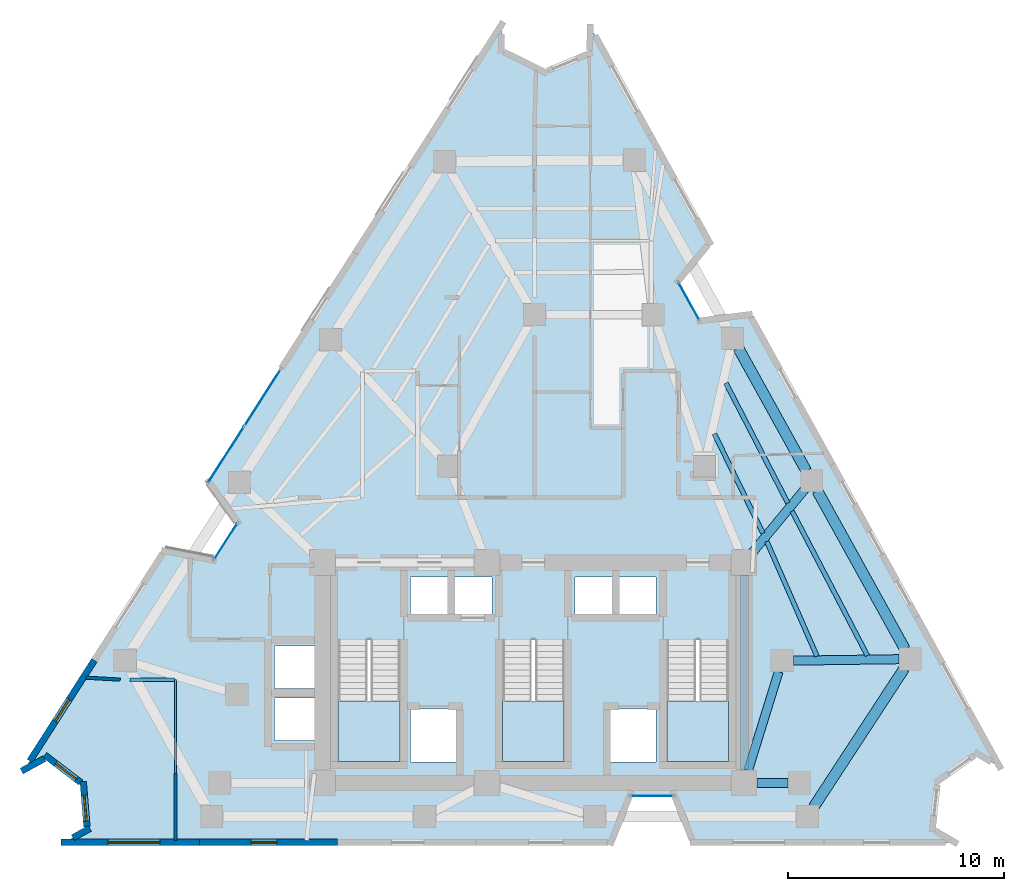
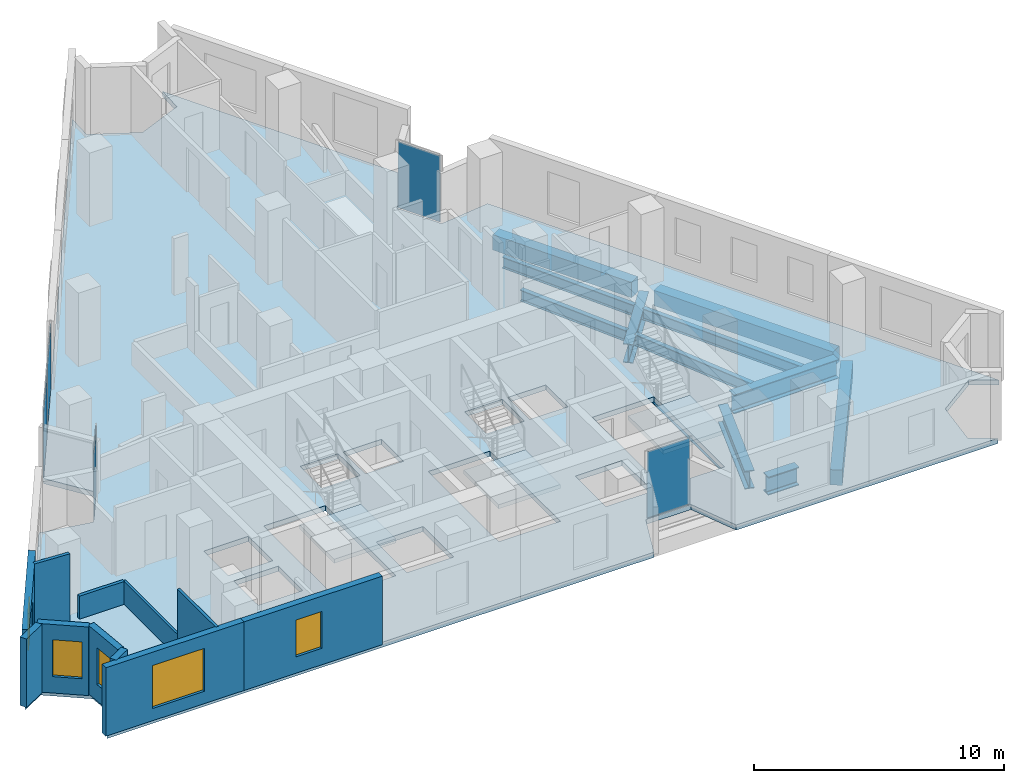
# One storey, part 4 of 10: 12 beams, 11 walls, 5 plates, 5 windows, 4 slabs, 5 openings, 7 elements without a shape of their own.
"""IFC4 building model written with IfcOpenShell, lengths in metres."""

from ifc_helpers import new_model, si_unit, direction, frame, frame_2d, origin, origin_2d, place, context, subcontext, project, spatial, polyline, rectangle, i_section, outline, extrude, material, layer, layer_set, material_profile, profile_set, type_object, element, fill, aggregate, save


model = new_model("IFC4")

# Units and contexts
model_context = context("Model", 3, precision=1e-05, world=origin(), true_north=direction((0.0, 1.0)))
body_context = subcontext(model_context, "Body", "Model", "MODEL_VIEW")
ifc_project = project(units=[si_unit("LENGTHUNIT", "METRE"), si_unit("AREAUNIT", "SQUARE_METRE"), si_unit("VOLUMEUNIT", "CUBIC_METRE"), si_unit("PLANEANGLEUNIT", "RADIAN"), si_unit("MASSUNIT", "GRAM", prefix="KILO")], contexts=[model_context])

# Site, building, storey
site_placement = place(None, origin())
site = spatial("IfcSite", under=ifc_project, at=site_placement, CompositionType="ELEMENT")
building_placement = place(site_placement, origin())
building = spatial("IfcBuilding", under=site, at=building_placement, Name="Almagre Mirador Tower", CompositionType="ELEMENT")
storey_placement = place(building_placement, frame((0.0, 0.0, 171.60009765625)))
storey = spatial("IfcBuildingStorey", under=building, at=storey_placement, Name="L44", CompositionType="ELEMENT", Elevation=171.60009765625)

# Beams
ifc_material_1 = material(Name="Steel ASTM A992 Grade 50", Category="steel")
ifc_material_profile_1 = material_profile(ifc_material_1, i_section(OverallWidth=0.214111328125, OverallDepth=0.549072265625, WebThickness=0.0146484375, FlangeThickness=0.023681640625, FilletRadius=0.01806640625, at=origin_2d()), Name="W21X93")
ifc_profile_set_1 = profile_set([ifc_material_profile_1], Name="Steel ASTM A992 Grade 50")
beam_type_1 = type_object("IfcBeamType", Name="BM-JST-W21X93", PredefinedType="JOIST", material=ifc_profile_set_1)
beam_1_placement = place(storey_placement, frame((52.744873046875, 10.44189453125, -0.524658203125), z_axis=(-0.462461864281, 0.886639173557, 0.0), x_axis=(-0.886639173557, -0.462461864281, 0.0)))
element("IfcBeam", 1, at=beam_1_placement, inside=storey, type_object=beam_type_1, Name="L44 secondary floor joist PC05-PC06.1", PredefinedType="JOIST", context=body_context, shape_type="SweptSolid", body=[
    extrude(i_section(OverallWidth=0.214111328125, OverallDepth=0.549072265625, WebThickness=0.0146484375, FlangeThickness=0.023681640625, FilletRadius=0.01806640625, at=origin_2d()), origin(), (0.0, 0.0, 1.0), 7.53125),
])
beam_2_placement = place(storey_placement, frame((50.413330078125, 10.415283203125, -0.524658203125), z_axis=(-0.400714832281, 0.91620282863, 0.0), x_axis=(-0.91620282863, -0.400714832281, 0.0)))
element("IfcBeam", 2, at=beam_2_placement, inside=storey, type_object=beam_type_1, Name="L44 secondary floor joist PC05-PC06.3", PredefinedType="JOIST", context=body_context, shape_type="SweptSolid", body=[
    extrude(i_section(OverallWidth=0.214111328125, OverallDepth=0.549072265625, WebThickness=0.0146484375, FlangeThickness=0.023681640625, FilletRadius=0.01806640625, at=origin_2d()), origin(), (0.0, 0.0, 1.0), 5.7880859375),
])
beam_3_placement = place(storey_placement, frame((49.069580078125, 17.490478515625, -0.524658203125), z_axis=(-0.458793060053, 0.888543149232, 0.0), x_axis=(-0.888543149232, -0.458793060053, 0.0)))
element("IfcBeam", 3, at=beam_3_placement, inside=storey, type_object=beam_type_1, Name="L44 secondary floor joist PC06-PC07.1", PredefinedType="JOIST", context=body_context, shape_type="SweptSolid", body=[
    extrude(i_section(OverallWidth=0.214111328125, OverallDepth=0.549072265625, WebThickness=0.0146484375, FlangeThickness=0.023681640625, FilletRadius=0.01806640625, at=origin_2d()), origin(), (0.0, 0.0, 1.0), 6.254150390625),
])
beam_4_placement = place(storey_placement, frame((47.91845703125, 16.097412109375, -0.524658203125), z_axis=(-0.439128899416, 0.898424070079, 0.0), x_axis=(-0.898424070079, -0.439128899416, 0.0)))
element("IfcBeam", 4, at=beam_4_placement, inside=storey, type_object=beam_type_1, Name="L44 secondary floor joist PC06-PC07.3", PredefinedType="JOIST", context=body_context, shape_type="SweptSolid", body=[
    extrude(i_section(OverallWidth=0.214111328125, OverallDepth=0.549072265625, WebThickness=0.0146484375, FlangeThickness=0.023681640625, FilletRadius=0.01806640625, at=origin_2d()), origin(), (0.0, 0.0, 1.0), 5.12109375),
])
ifc_material_2 = material(Name="Precast concrete C50/60", Category="concrete")
ifc_material_profile_2 = material_profile(ifc_material_2, rectangle(XDim=0.5, YDim=0.75, at=origin_2d()), Name="RC500X750")
ifc_profile_set_2 = profile_set([ifc_material_profile_2], Name="Precast concrete C50/60")
beam_type_2 = type_object("IfcBeamType", Name="BM-SPN-RC500X750", PredefinedType="SPANDREL", material=ifc_profile_set_2)
beam_5_placement = place(storey_placement, frame((50.26318359375, 3.439453125, -0.625), z_axis=(0.546935461459, 0.83717477327, 0.0), x_axis=(-0.83717477327, 0.546935461459, 0.0)))
element("IfcBeam", 5, at=beam_5_placement, inside=storey, type_object=beam_type_2, Name="L44 perimeter spandrel beam PC04-PC05", PredefinedType="SPANDREL", context=body_context, shape_type="SweptSolid", body=[
    extrude(rectangle(XDim=0.5, YDim=0.75, at=origin_2d()), origin(), (0.0, 0.0, 1.0), 7.649658203125),
])
beam_6_placement = place(storey_placement, frame((54.479736328125, 10.742431640625, -0.625), z_axis=(-0.484193045523, 0.874961196092, 0.0), x_axis=(-0.874961196092, -0.484193045523, 0.0)))
element("IfcBeam", 6, at=beam_6_placement, inside=storey, type_object=beam_type_2, Name="L44 perimeter spandrel beam PC05-PC06", PredefinedType="SPANDREL", context=body_context, shape_type="SweptSolid", body=[
    extrude(rectangle(XDim=0.5, YDim=0.75, at=origin_2d()), origin(), (0.0, 0.0, 1.0), 8.36767578125),
])
beam_7_placement = place(storey_placement, frame((49.919921875, 18.982421875, -0.625), z_axis=(-0.484219637984, 0.874946479615, 0.0), x_axis=(-0.874946479615, -0.484219637984, 0.0)))
element("IfcBeam", 7, at=beam_7_placement, inside=storey, type_object=beam_type_2, Name="L44 perimeter spandrel beam PC06-PC07", PredefinedType="SPANDREL", context=body_context, shape_type="SweptSolid", body=[
    extrude(rectangle(XDim=0.5, YDim=0.75, at=origin_2d()), origin(), (0.0, 0.0, 1.0), 6.48388671875),
])
ifc_material_3 = material(Name="Steel ASTM A992 Grade 50", Category="steel")
ifc_material_profile_3 = material_profile(ifc_material_3, i_section(OverallWidth=0.404052734375, OverallDepth=0.884033203125, WebThickness=0.0244140625, FlangeThickness=0.0439453125, FilletRadius=0.02490234375, at=origin_2d()), Name="W33X291")
ifc_profile_set_3 = profile_set([ifc_material_profile_3], Name="Steel ASTM A992 Grade 50")
beam_type_3 = type_object("IfcBeamType", Name="BM-STL-W33X291", PredefinedType="BEAM", material=ifc_profile_set_3)
beam_8_placement = place(storey_placement, frame((47.050048828125, 5.14990234375, -0.692138671875), z_axis=(0.0, 1.0, 0.0), x_axis=(-1.0, 0.0, 0.0)))
element("IfcBeam", 8, at=beam_8_placement, inside=storey, type_object=beam_type_3, Name="L44 core tie girder CC3-CC6", PredefinedType="BEAM", context=body_context, shape_type="SweptSolid", body=[
    extrude(i_section(OverallWidth=0.404052734375, OverallDepth=0.884033203125, WebThickness=0.0244140625, FlangeThickness=0.0439453125, FilletRadius=0.02490234375, at=origin_2d()), origin(), (0.0, 0.0, 1.0), 9.0),
])
beam_9_placement = place(storey_placement, frame((49.074951171875, 4.550048828125, -0.692138671875), z_axis=(-1.0, 0.0, 0.0), x_axis=(0.0, -1.0, 0.0)))
element("IfcBeam", 9, at=beam_9_placement, inside=storey, type_object=beam_type_3, Name="L44 core tie girder MC2-CC3", PredefinedType="BEAM", context=body_context, shape_type="SweptSolid", body=[
    extrude(i_section(OverallWidth=0.404052734375, OverallDepth=0.884033203125, WebThickness=0.0244140625, FlangeThickness=0.0439453125, FilletRadius=0.02490234375, at=origin_2d()), origin(), (0.0, 0.0, 1.0), 1.425048828125),
])
beam_10_placement = place(storey_placement, frame((48.644775390625, 9.698486328125, -0.692138671875), z_axis=(-0.295879743348, -0.955225197258, 0.0), x_axis=(0.955225197258, -0.295879743348, 0.0)))
element("IfcBeam", 10, at=beam_10_placement, inside=storey, type_object=beam_type_3, Name="L44 core tie girder MC3-CC3", PredefinedType="BEAM", context=body_context, shape_type="SweptSolid", body=[
    extrude(i_section(OverallWidth=0.404052734375, OverallDepth=0.884033203125, WebThickness=0.0244140625, FlangeThickness=0.0439453125, FilletRadius=0.02490234375, at=origin_2d()), origin(), (0.0, 0.0, 1.0), 4.789794921875),
])
ifc_material_4 = material(Name="Steel ASTM A992 Grade 50", Category="steel")
ifc_material_profile_4 = material_profile(ifc_material_4, i_section(OverallWidth=0.41796875, OverallDepth=0.927001953125, WebThickness=0.019287109375, FlangeThickness=0.031982421875, FilletRadius=0.028076171875, at=origin_2d()), Name="W36X231")
ifc_profile_set_4 = profile_set([ifc_material_profile_4], Name="Steel ASTM A992 Grade 50")
beam_type_4 = type_object("IfcBeamType", Name="BM-STL-W36X231", PredefinedType="BEAM", material=ifc_profile_set_4)
beam_11_placement = place(storey_placement, frame((54.208984375, 10.275634765625, -0.713623046875), z_axis=(-0.999902063371, -0.013995130105, 0.0), x_axis=(0.013995130105, -0.999902063371, 0.0)))
element("IfcBeam", 11, at=beam_11_placement, inside=storey, type_object=beam_type_4, Name="L44 radial floor girder PC05-MC3", PredefinedType="BEAM", context=body_context, shape_type="SweptSolid", body=[
    extrude(i_section(OverallWidth=0.41796875, OverallDepth=0.927001953125, WebThickness=0.019287109375, FlangeThickness=0.031982421875, FilletRadius=0.028076171875, at=origin_2d()), origin(), (0.0, 0.0, 1.0), 4.884521484375),
])
beam_12_placement = place(storey_placement, frame((49.839111328125, 18.11865234375, -0.713623046875), z_axis=(-0.637743806267, -0.770248555707, 0.0), x_axis=(0.770248555707, -0.637743806267, 0.0)))
element("IfcBeam", 12, at=beam_12_placement, inside=storey, type_object=beam_type_4, Name="L44 radial floor girder PC06-CC6", PredefinedType="BEAM", context=body_context, shape_type="SweptSolid", body=[
    extrude(i_section(OverallWidth=0.41796875, OverallDepth=0.927001953125, WebThickness=0.019287109375, FlangeThickness=0.031982421875, FilletRadius=0.028076171875, at=origin_2d()), origin(), (0.0, 0.0, 1.0), 3.7734375),
])

# Curtain wall, plate
ifc_material_5 = material(Name="Black anodized aluminium", Category="aluminium")
ifc_layer_1 = layer(ifc_material_5, 0.169921875)
ifc_layer_set_1 = layer_set([ifc_layer_1], Name="Black anodized aluminium")
curtain_wall_type_1 = type_object("IfcCurtainWallType", Name="CW-CRS-SYS", PredefinedType="NOTDEFINED", material=ifc_layer_set_1)
curtain_wall_1_placement = place(storey_placement, origin())
curtain_wall_1 = element("IfcCurtainWall", 13, at=curtain_wall_1_placement, inside=storey, type_object=curtain_wall_type_1, Name="L44 vertical crease curtain wall 01", PredefinedType="NOTDEFINED")
ifc_material_6 = material(Name="Dark solar-control laminated hurricane glass", Category="glass")
ifc_layer_2 = layer(ifc_material_6, 0.028076171875)
ifc_layer_set_2 = layer_set([ifc_layer_2], Name="Dark solar-control laminated hurricane glass")
plate_type_1 = type_object("IfcPlateType", Name="PLT-GLZ-28", PredefinedType="CURTAIN_PANEL", material=ifc_layer_set_2)
plate_1_placement = place(storey_placement, frame((23.076904296875, 15.72607421875, 0.059814453125), z_axis=(0.0, 0.0, 1.0), x_axis=(0.539596564827, 0.841923718176, 0.0)))
plate_1 = element("IfcPlate", 14, at=plate_1_placement, type_object=plate_type_1, Name="CW-4 panel 1.1", PredefinedType="CURTAIN_PANEL", context=body_context, shape_type="SweptSolid", body=[
    extrude(rectangle(XDim=1.970458984375, YDim=0.028076171875, at=origin_2d()), origin(), (0.0, 0.0, 1.0), 3.22998046875),
])
aggregate(curtain_wall_1, [plate_1])

curtain_wall_2_placement = place(storey_placement, origin())
curtain_wall_2 = element("IfcCurtainWall", 15, at=curtain_wall_2_placement, inside=storey, type_object=curtain_wall_type_1, Name="L44 vertical crease curtain wall 03", PredefinedType="NOTDEFINED")
plate_2_placement = place(storey_placement, frame((44.490966796875, 26.8310546875, 0.059814453125), z_axis=(0.0, 0.0, 1.0), x_axis=(0.48434204979, -0.874878722341, 0.0)))
plate_2 = element("IfcPlate", 16, at=plate_2_placement, type_object=plate_type_1, Name="CW-4 panel 1.1", PredefinedType="CURTAIN_PANEL", context=body_context, shape_type="SweptSolid", body=[
    extrude(rectangle(XDim=1.969482421875, YDim=0.028076171875, at=origin_2d()), origin(), (0.0, 0.0, 1.0), 3.22998046875),
])
aggregate(curtain_wall_2, [plate_2])

curtain_wall_3_placement = place(storey_placement, origin())
curtain_wall_3 = element("IfcCurtainWall", 17, at=curtain_wall_3_placement, inside=storey, type_object=curtain_wall_type_1, Name="L44 vertical crease curtain wall 04", PredefinedType="NOTDEFINED")
plate_3_placement = place(storey_placement, frame((42.7919921875, 3.949951171875, 0.059814453125), z_axis=(0.0, 0.0, 1.0), x_axis=(-1.0, 0.0, 0.0)))
plate_3 = element("IfcPlate", 18, at=plate_3_placement, type_object=plate_type_1, Name="CW-4 panel 1.1", PredefinedType="CURTAIN_PANEL", context=body_context, shape_type="SweptSolid", body=[
    extrude(rectangle(XDim=1.969970703125, YDim=0.028076171875, at=origin_2d()), origin(), (0.0, 0.0, 1.0), 3.22998046875),
])
aggregate(curtain_wall_3, [plate_3])

# Curtain wall, plates
ifc_material_7 = material(Name="Black anodized aluminium", Category="aluminium")
ifc_layer_3 = layer(ifc_material_7, 0.199951171875)
ifc_layer_set_3 = layer_set([ifc_layer_3], Name="Black anodized aluminium")
curtain_wall_type_2 = type_object("IfcCurtainWallType", Name="CW-RES-H-SYS", PredefinedType="NOTDEFINED", material=ifc_layer_set_3)
curtain_wall_4_placement = place(storey_placement, origin())
curtain_wall_4 = element("IfcCurtainWall", 19, at=curtain_wall_4_placement, inside=storey, type_object=curtain_wall_type_2, Name="L44 curtain wall run 02", PredefinedType="NOTDEFINED")
ifc_material_8 = material(Name="Dark solar-control laminated hurricane glass", Category="glass")
ifc_layer_4 = layer(ifc_material_8, 0.035888671875)
ifc_layer_set_4 = layer_set([ifc_layer_4], Name="Dark solar-control laminated hurricane glass")
plate_type_2 = type_object("IfcPlateType", Name="PLT-GLZ-36", PredefinedType="CURTAIN_PANEL", material=ifc_layer_set_4)
plate_4_placement = place(storey_placement, frame((23.08154296875, 19.71728515625, 0.06494140625), z_axis=(0.0, 0.0, 1.0), x_axis=(0.539495215871, 0.841988665038, 0.0)))
plate_4 = element("IfcPlate", 20, at=plate_4_placement, type_object=plate_type_2, Name="CW-3 panel 1.1", PredefinedType="CURTAIN_PANEL", context=body_context, shape_type="SweptSolid", body=[
    extrude(rectangle(XDim=3.076904296875, YDim=0.035888671875, at=origin_2d()), origin(), (0.0, 0.0, 1.0), 3.219970703125),
])
plate_5_placement = place(storey_placement, frame((24.776611328125, 22.36279296875, 0.06494140625), z_axis=(0.0, 0.0, 1.0), x_axis=(0.539495215871, 0.841988665038, 0.0)))
plate_5 = element("IfcPlate", 21, at=plate_5_placement, type_object=plate_type_2, Name="CW-3 panel 2.1", PredefinedType="CURTAIN_PANEL", context=body_context, shape_type="SweptSolid", body=[
    extrude(rectangle(XDim=3.076904296875, YDim=0.035888671875, at=origin_2d()), origin(), (0.0, 0.0, 1.0), 3.219970703125),
])
aggregate(curtain_wall_4, [plate_4, plate_5])

# Slab
ifc_material_9 = material(Name="Concrete C45/55", Category="concrete")
ifc_layer_5 = layer(ifc_material_9, 0.25)
ifc_layer_set_5 = layer_set([ifc_layer_5], Name="Concrete C45/55")
slab_type_1 = type_object("IfcSlabType", Name="SLB-FLR-250", PredefinedType="FLOOR", material=ifc_layer_set_5)
slab_1_placement = place(storey_placement, frame((0.0, 0.0, -0.25)))
element("IfcSlab", 22, at=slab_1_placement, inside=storey, type_object=slab_type_1, Name="L44 structural floor slab", PredefinedType="FLOOR", context=body_context, shape_type="SweptSolid", body=[
    extrude(outline(polyline([(13.758056640625, 5.16796875), (14.823974609375, 5.7509765625), (16.49609375, 4.47705078125), (16.666015625, 2.383056640625), (15.60009765625, 1.800048828125), (40.89208984375, 1.800048828125), (41.7470703125, 3.949951171875), (43.8369140625, 3.949951171875), (44.69189453125, 1.800048828125), (56.800048828125, 1.800048828125), (55.7529296875, 2.4169921875), (55.992919921875, 4.634033203125), (57.81689453125, 5.9169921875), (58.863037109375, 5.300048828125), (47.2919921875, 26.2099609375), (44.9970703125, 25.9169921875), (43.985107421875, 27.7451171875), (45.451904296875, 29.533935546875), (39.93701171875, 39.5), (39.89794921875, 38.285888671875), (37.820068359375, 37.423095703125), (35.802978515625, 38.41796875), (35.842041015625, 39.632080078125), (22.2919921875, 18.485107421875), (23.64111328125, 16.60595703125), (22.512939453125, 14.845947265625), (20.240966796875, 15.285888671875), (13.758056640625, 5.16796875)]), holes=[polyline([(43.47509765625, 5.550048828125), (43.47509765625, 11.196044921875), (46.324951171875, 11.196044921875), (46.324951171875, 5.550048828125), (43.47509765625, 5.550048828125)]), polyline([(40.820068359375, 5.52001953125), (40.820068359375, 7.97998046875), (42.97998046875, 7.97998046875), (42.97998046875, 5.52001953125), (40.820068359375, 5.52001953125)]), polyline([(41.219970703125, 12.320068359375), (41.219970703125, 14.080078125), (42.97998046875, 14.080078125), (42.97998046875, 12.320068359375), (41.219970703125, 12.320068359375)]), polyline([(39.219970703125, 12.320068359375), (39.219970703125, 14.080078125), (40.97998046875, 14.080078125), (40.97998046875, 12.320068359375), (39.219970703125, 12.320068359375)]), polyline([(35.875, 11.196044921875), (38.72509765625, 11.196044921875), (38.72509765625, 5.550048828125), (35.875, 5.550048828125), (35.875, 11.196044921875)]), polyline([(35.3798828125, 12.320068359375), (33.6201171875, 12.320068359375), (33.6201171875, 14.080078125), (35.3798828125, 14.080078125), (35.3798828125, 12.320068359375)]), polyline([(33.780029296875, 5.52001953125), (31.6201171875, 5.52001953125), (31.6201171875, 7.97998046875), (33.780029296875, 7.97998046875), (33.780029296875, 5.52001953125)]), polyline([(31.6201171875, 12.320068359375), (31.6201171875, 14.080078125), (33.3798828125, 14.080078125), (33.3798828125, 12.320068359375), (31.6201171875, 12.320068359375)]), polyline([(28.27490234375, 5.550048828125), (28.27490234375, 11.196044921875), (31.125, 11.196044921875), (31.125, 5.550048828125), (28.27490234375, 5.550048828125)]), polyline([(25.320068359375, 8.919921875), (25.320068359375, 10.8798828125), (27.3798828125, 10.8798828125), (27.3798828125, 8.919921875), (25.320068359375, 8.919921875)]), polyline([(27.3798828125, 6.52001953125), (25.320068359375, 6.52001953125), (25.320068359375, 8.47998046875), (27.3798828125, 8.47998046875), (27.3798828125, 6.52001953125)])]), origin(), (0.0, 0.0, 1.0), 0.25),
])

# Stair, slab
ifc_material_10 = material(Name="Concrete C45/55", Category="concrete")
stair_type = type_object("IfcStairType", Name="STR-DL-3600", PredefinedType="HALF_TURN_STAIR", material=ifc_material_10)
stair_1_placement = place(storey_placement, origin())
stair_1 = element("IfcStair", 23, at=stair_1_placement, inside=storey, type_object=stair_type, Name="L44 Protected exit stair ST-1", PredefinedType="HALF_TURN_STAIR")
ifc_material_11 = material(Name="Concrete C45/55", Category="concrete")
ifc_layer_6 = layer(ifc_material_11, 0.199951171875)
ifc_layer_set_6 = layer_set([ifc_layer_6], Name="Concrete C45/55")
slab_type_2 = type_object("IfcSlabType", Name="SLB-LND-200", PredefinedType="LANDING", material=ifc_layer_set_6)
slab_2_placement = place(storey_placement, frame((0.0, 0.0, 1.599853515625)))
slab_2 = element("IfcSlab", 24, at=slab_2_placement, type_object=slab_type_2, Name="ST-1 landing 1", PredefinedType="LANDING", context=body_context, shape_type="SweptSolid", body=[
    extrude(outline(polyline([(28.27490234375, 8.35009765625), (28.27490234375, 5.550048828125), (31.125, 5.550048828125), (31.125, 8.35009765625), (28.27490234375, 8.35009765625)])), origin(), (0.0, 0.0, 1.0), 0.199951171875),
])
aggregate(stair_1, [slab_2])

stair_2_placement = place(storey_placement, origin())
stair_2 = element("IfcStair", 25, at=stair_2_placement, inside=storey, type_object=stair_type, Name="L44 Protected exit stair ST-2", PredefinedType="HALF_TURN_STAIR")
slab_3_placement = place(storey_placement, frame((0.0, 0.0, 1.599853515625)))
slab_3 = element("IfcSlab", 26, at=slab_3_placement, type_object=slab_type_2, Name="ST-2 landing 1", PredefinedType="LANDING", context=body_context, shape_type="SweptSolid", body=[
    extrude(outline(polyline([(35.875, 8.35009765625), (35.875, 5.550048828125), (38.72509765625, 5.550048828125), (38.72509765625, 8.35009765625), (35.875, 8.35009765625)])), origin(), (0.0, 0.0, 1.0), 0.199951171875),
])
aggregate(stair_2, [slab_3])

stair_3_placement = place(storey_placement, origin())
stair_3 = element("IfcStair", 27, at=stair_3_placement, inside=storey, type_object=stair_type, Name="L44 Protected exit stair ST-3", PredefinedType="HALF_TURN_STAIR")
slab_4_placement = place(storey_placement, frame((0.0, 0.0, 1.599853515625)))
slab_4 = element("IfcSlab", 28, at=slab_4_placement, type_object=slab_type_2, Name="ST-3 landing 1", PredefinedType="LANDING", context=body_context, shape_type="SweptSolid", body=[
    extrude(outline(polyline([(43.47509765625, 8.35009765625), (43.47509765625, 5.550048828125), (46.324951171875, 5.550048828125), (46.324951171875, 8.35009765625), (43.47509765625, 8.35009765625)])), origin(), (0.0, 0.0, 1.0), 0.199951171875),
])
aggregate(stair_3, [slab_4])

# Wall, opening, window
ifc_material_12 = material(Name="Precast concrete C50/60", Category="concrete")
ifc_layer_7 = layer(ifc_material_12, 0.300048828125)
ifc_layer_set_7 = layer_set([ifc_layer_7], Name="Precast concrete C50/60")
wall_type_1 = type_object("IfcWallType", Name="WAL-EXT-300", PredefinedType="SOLIDWALL", material=ifc_layer_set_7)
wall_1_placement = place(storey_placement, frame((28.24609375, 1.800048828125, 0.0), z_axis=(0.0, 0.0, 1.0), x_axis=(-1.0, 0.0, 0.0)))
wall_1 = element("IfcWall", 29, at=wall_1_placement, inside=storey, type_object=wall_type_1, Name="L44 expressed almagre precast frame wall 27", PredefinedType="SOLIDWALL", context=body_context, shape_type="SweptSolid", body=[
    extrude(rectangle(XDim=6.39306640625, YDim=0.300048828125, at=frame_2d((3.196533203125, 0.0))), origin(), (0.0, 0.0, 1.0), 3.349853515625),
])
opening_1_placement = place(wall_1_placement, frame((2.800048828125, 0.0, 0.800048828125)))
opening_1 = element("IfcOpeningElement", 30, at=opening_1_placement, cuts=wall_1, Name="Opening WN-04", PredefinedType="OPENING", context=body_context, shape_type="SweptSolid", body=[
    extrude(rectangle(XDim=1.199951171875, YDim=1.800048828125, at=frame_2d((0.60009765625, 0.89990234375))), frame((0.0, 0.159902, 0.0), z_axis=(0.0, -1.0, 0.0), x_axis=(1.0, 0.0, 0.0)), (0.0, 0.0, 1.0), 0.320049),
])
ifc_material_13 = material(Name="Dark solar-control laminated hurricane glass", Category="glass")
window_type_1 = type_object("IfcWindowType", Name="WIN-1200X1800", PartitioningType="SINGLE_PANEL", PredefinedType="WINDOW", material=ifc_material_13)
window_1_placement = place(opening_1_placement, origin())
window_1 = element("IfcWindow", 31, at=window_1_placement, inside=storey, type_object=window_type_1, Name="L44 recessed hurricane window L44-UA-KT", OverallHeight=1.800048828125, OverallWidth=1.199951171875, PartitioningType="SINGLE_PANEL", PredefinedType="WINDOW", context=body_context, shape_type="SweptSolid", body=[
    extrude(rectangle(XDim=1.199951171875, YDim=1.800048828125, at=frame_2d((0.60009765625, 0.89990234375))), frame((0.0, 0.030029296875, 0.0), z_axis=(0.0, -1.0, 0.0), x_axis=(1.0, 0.0, 0.0)), (0.0, 0.0, 1.0), 0.06005859375),
])
fill(opening_1, window_1)

wall_2_placement = place(storey_placement, frame((21.85302734375, 1.800048828125, 0.0), z_axis=(0.0, 0.0, 1.0), x_axis=(-1.0, 0.0, 0.0)))
wall_2 = element("IfcWall", 32, at=wall_2_placement, inside=storey, type_object=wall_type_1, Name="L44 expressed almagre precast frame wall 28", PredefinedType="SOLIDWALL", context=body_context, shape_type="SweptSolid", body=[
    extrude(rectangle(XDim=6.39306640625, YDim=0.300048828125, at=frame_2d((3.196533203125, 0.0))), origin(), (0.0, 0.0, 1.0), 3.349853515625),
])
opening_2_placement = place(wall_2_placement, frame((1.824951171875, 0.0, 0.60009765625)))
opening_2 = element("IfcOpeningElement", 33, at=opening_2_placement, cuts=wall_2, Name="Opening WN-02", PredefinedType="OPENING", context=body_context, shape_type="SweptSolid", body=[
    extrude(rectangle(XDim=2.39990234375, YDim=2.10009765625, at=frame_2d((1.199951171875, 1.050048828125))), frame((0.0, 0.159902, 0.0), z_axis=(0.0, -1.0, 0.0), x_axis=(1.0, 0.0, 0.0)), (0.0, 0.0, 1.0), 0.320049),
])
ifc_material_14 = material(Name="Dark solar-control laminated hurricane glass", Category="glass")
window_type_2 = type_object("IfcWindowType", Name="WIN-2400X2100", PartitioningType="TRIPLE_PANEL_VERTICAL", PredefinedType="WINDOW", material=ifc_material_14)
window_2_placement = place(opening_2_placement, origin())
window_2 = element("IfcWindow", 34, at=window_2_placement, inside=storey, type_object=window_type_2, Name="L44 recessed hurricane window L44-UA-MB", OverallHeight=2.10009765625, OverallWidth=2.39990234375, PartitioningType="SINGLE_PANEL", PredefinedType="WINDOW", context=body_context, shape_type="SweptSolid", body=[
    extrude(rectangle(XDim=2.39990234375, YDim=2.10009765625, at=frame_2d((1.199951171875, 1.050048828125))), frame((0.0, 0.030029296875, 0.0), z_axis=(0.0, -1.0, 0.0), x_axis=(1.0, 0.0, 0.0)), (0.0, 0.0, 1.0), 0.06005859375),
])
fill(opening_2, window_2)

# Wall
wall_3_placement = place(storey_placement, frame((16.012451171875, 2.025390625, 0.0), z_axis=(0.0, 0.0, 1.0), x_axis=(0.877262241919, 0.480011415389, 0.0)))
element("IfcWall", 35, at=wall_3_placement, inside=storey, type_object=wall_type_1, Name="L44 expressed almagre precast frame wall 29", PredefinedType="SOLIDWALL", context=body_context, shape_type="SweptSolid", body=[
    extrude(rectangle(XDim=0.885009765625, YDim=0.300048828125, at=frame_2d((0.4423828125, 0.0))), origin(), (0.0, 0.0, 1.0), 3.349853515625),
])

# Wall, opening, window
wall_4_placement = place(storey_placement, frame((16.654296875, 2.527587890625, 0.0), z_axis=(0.0, 0.0, 1.0), x_axis=(-0.080962879454, 0.996717117416, 0.0)))
wall_4 = element("IfcWall", 36, at=wall_4_placement, inside=storey, type_object=wall_type_1, Name="L44 expressed almagre precast frame wall 30", PredefinedType="SOLIDWALL", context=body_context, shape_type="SweptSolid", body=[
    extrude(rectangle(XDim=2.095703125, YDim=0.300048828125, at=frame_2d((1.0478515625, 0.0))), origin(), (0.0, 0.0, 1.0), 3.349853515625),
])
opening_3_placement = place(wall_4_placement, frame((0.264892578125, 0.0, 0.800048828125)))
opening_3 = element("IfcOpeningElement", 37, at=opening_3_placement, cuts=wall_4, Name="Opening WN-04", PredefinedType="OPENING", context=body_context, shape_type="SweptSolid", body=[
    extrude(rectangle(XDim=1.199951171875, YDim=1.800048828125, at=frame_2d((0.60009765625, 0.89990234375))), frame((0.0, 0.159902, 0.0), z_axis=(0.0, -1.0, 0.0), x_axis=(1.0, 0.0, 0.0)), (0.0, 0.0, 1.0), 0.320049),
])
window_3_placement = place(opening_3_placement, origin())
window_3 = element("IfcWindow", 38, at=window_3_placement, inside=storey, type_object=window_type_1, Name="L44 recessed hurricane window L44-UA-MB", OverallHeight=1.800048828125, OverallWidth=1.199951171875, PartitioningType="SINGLE_PANEL", PredefinedType="WINDOW", context=body_context, shape_type="SweptSolid", body=[
    extrude(rectangle(XDim=1.199951171875, YDim=1.800048828125, at=frame_2d((0.60009765625, 0.89990234375))), frame((0.0, 0.030029296875, 0.0), z_axis=(0.0, -1.0, 0.0), x_axis=(1.0, 0.0, 0.0)), (0.0, 0.0, 1.0), 0.06005859375),
])
fill(opening_3, window_3)

wall_5_placement = place(storey_placement, frame((16.376708984375, 4.56787109375, 0.0), z_axis=(0.0, 0.0, 1.0), x_axis=(-0.795383499791, 0.606106499107, 0.0)))
wall_5 = element("IfcWall", 39, at=wall_5_placement, inside=storey, type_object=wall_type_1, Name="L44 expressed almagre precast frame wall 31", PredefinedType="SOLIDWALL", context=body_context, shape_type="SweptSolid", body=[
    extrude(rectangle(XDim=2.092041015625, YDim=0.300048828125, at=frame_2d((1.0458984375, 0.0))), origin(), (0.0, 0.0, 1.0), 3.349853515625),
])
opening_4_placement = place(wall_5_placement, frame((0.260009765625, 0.0, 0.800048828125)))
opening_4 = element("IfcOpeningElement", 40, at=opening_4_placement, cuts=wall_5, Name="Opening WN-04", PredefinedType="OPENING", context=body_context, shape_type="SweptSolid", body=[
    extrude(rectangle(XDim=1.199951171875, YDim=1.800048828125, at=frame_2d((0.60009765625, 0.89990234375))), frame((0.0, 0.159902, 0.0), z_axis=(0.0, -1.0, 0.0), x_axis=(1.0, 0.0, 0.0)), (0.0, 0.0, 1.0), 0.320049),
])
window_4_placement = place(opening_4_placement, origin())
window_4 = element("IfcWindow", 41, at=window_4_placement, inside=storey, type_object=window_type_1, Name="L44 recessed hurricane window L44-UA-MB", OverallHeight=1.800048828125, OverallWidth=1.199951171875, PartitioningType="SINGLE_PANEL", PredefinedType="WINDOW", context=body_context, shape_type="SweptSolid", body=[
    extrude(rectangle(XDim=1.199951171875, YDim=1.800048828125, at=frame_2d((0.60009765625, 0.89990234375))), frame((0.0, 0.030029296875, 0.0), z_axis=(0.0, -1.0, 0.0), x_axis=(1.0, 0.0, 0.0)), (0.0, 0.0, 1.0), 0.06005859375),
])
fill(opening_4, window_4)

# Wall
wall_6_placement = place(storey_placement, frame((14.69677734375, 5.681396484375, 0.0), z_axis=(0.0, 0.0, 1.0), x_axis=(-0.877355211776, -0.47984146587, 0.0)))
element("IfcWall", 42, at=wall_6_placement, inside=storey, type_object=wall_type_1, Name="L44 expressed almagre precast frame wall 32", PredefinedType="SOLIDWALL", context=body_context, shape_type="SweptSolid", body=[
    extrude(rectangle(XDim=1.2099609375, YDim=0.300048828125, at=frame_2d((0.60498046875, 0.0))), origin(), (0.0, 0.0, 1.0), 3.349853515625),
])

# Wall, opening, window
wall_7_placement = place(storey_placement, frame((14.01708984375, 5.572021484375, 0.0), z_axis=(0.0, 0.0, 1.0), x_axis=(0.539464660722, 0.84200824214, 0.0)))
wall_7 = element("IfcWall", 43, at=wall_7_placement, inside=storey, type_object=wall_type_1, Name="L44 expressed almagre precast frame wall 33", PredefinedType="SOLIDWALL", context=body_context, shape_type="SweptSolid", body=[
    extrude(rectangle(XDim=5.528564453125, YDim=0.300048828125, at=frame_2d((2.76416015625, 0.0))), origin(), (0.0, 0.0, 1.0), 3.349853515625),
])
opening_5_placement = place(wall_7_placement, frame((2.179931640625, 0.0, 0.800048828125)))
opening_5 = element("IfcOpeningElement", 44, at=opening_5_placement, cuts=wall_7, Name="Opening WN-04", PredefinedType="OPENING", context=body_context, shape_type="SweptSolid", body=[
    extrude(rectangle(XDim=1.199951171875, YDim=1.800048828125, at=frame_2d((0.60009765625, 0.89990234375))), frame((0.0, 0.159902, 0.0), z_axis=(0.0, -1.0, 0.0), x_axis=(1.0, 0.0, 0.0)), (0.0, 0.0, 1.0), 0.320049),
])
window_5_placement = place(opening_5_placement, origin())
window_5 = element("IfcWindow", 45, at=window_5_placement, inside=storey, type_object=window_type_1, Name="L44 recessed hurricane window L44-UA-MB", OverallHeight=1.800048828125, OverallWidth=1.199951171875, PartitioningType="SINGLE_PANEL", PredefinedType="WINDOW", context=body_context, shape_type="SweptSolid", body=[
    extrude(rectangle(XDim=1.199951171875, YDim=1.800048828125, at=frame_2d((0.60009765625, 0.89990234375))), frame((0.0, 0.030029296875, 0.0), z_axis=(0.0, -1.0, 0.0), x_axis=(1.0, 0.0, 0.0)), (0.0, 0.0, 1.0), 0.06005859375),
])
fill(opening_5, window_5)

# Walls
ifc_material_15 = material(Name="Gypsum acoustic stud partition", Category="other")
ifc_layer_8 = layer(ifc_material_15, 0.10009765625)
ifc_layer_set_8 = layer_set([ifc_layer_8], Name="Gypsum acoustic stud partition")
wall_type_2 = type_object("IfcWallType", Name="WAL-PRT-100-CLS", PredefinedType="PARTITIONING", material=ifc_layer_set_8)
wall_8_placement = place(storey_placement, frame((20.75, 9.330078125, 0.0), z_axis=(0.0, 0.0, 1.0), x_axis=(0.0, -1.0, 0.0)))
element("IfcWall", 46, at=wall_8_placement, inside=storey, type_object=wall_type_2, Name="L44 interior partition 029", PredefinedType="PARTITIONING", context=body_context, shape_type="SweptSolid", body=[
    extrude(rectangle(XDim=4.35009765625, YDim=0.10009765625, at=frame_2d((2.175048828125, 0.0))), origin(), (0.0, 0.0, 1.0), 1.119873046875),
])
ifc_material_16 = material(Name="Gypsum acoustic stud partition", Category="other")
ifc_layer_9 = layer(ifc_material_16, 0.125)
ifc_layer_set_9 = layer_set([ifc_layer_9], Name="Gypsum acoustic stud partition")
wall_type_3 = type_object("IfcWallType", Name="WAL-PRT-125-UTL", PredefinedType="PARTITIONING", material=ifc_layer_set_9)
wall_9_placement = place(storey_placement, frame((20.75, 4.97998046875, 0.0), z_axis=(0.0, 0.0, 1.0), x_axis=(0.0, -1.0, 0.0)))
element("IfcWall", 47, at=wall_9_placement, inside=storey, type_object=wall_type_3, Name="L44 interior partition 032", PredefinedType="PARTITIONING", context=body_context, shape_type="SweptSolid", body=[
    extrude(rectangle(XDim=3.080078125, YDim=0.125, at=frame_2d((1.5400390625, 0.0))), origin(), (0.0, 0.0, 1.0), 3.349853515625),
])
ifc_material_17 = material(Name="Gypsum acoustic stud partition", Category="other")
ifc_layer_10 = layer(ifc_material_17, 0.14990234375)
ifc_layer_set_10 = layer_set([ifc_layer_10], Name="Gypsum acoustic stud partition")
wall_type_4 = type_object("IfcWallType", Name="WAL-PRT-150-STD", PredefinedType="PARTITIONING", material=ifc_layer_set_10)
wall_10_placement = place(storey_placement, frame((16.62109375, 9.419921875, 0.0), z_axis=(0.0, 0.0, 1.0), x_axis=(0.99838487267, -0.056812375621, 0.0)))
element("IfcWall", 48, at=wall_10_placement, inside=storey, type_object=wall_type_4, Name="L44 interior partition 030", PredefinedType="PARTITIONING", context=body_context, shape_type="SweptSolid", body=[
    extrude(rectangle(XDim=1.581298828125, YDim=0.14990234375, at=frame_2d((0.79052734375, 0.0))), origin(), (0.0, 0.0, 1.0), 3.349853515625),
])
wall_11_placement = place(storey_placement, frame((18.639892578125, 9.330078125, 0.0), z_axis=(0.0, 0.0, 1.0), x_axis=(1.0, 0.0, 0.0)))
element("IfcWall", 49, at=wall_11_placement, inside=storey, type_object=wall_type_4, Name="L44 interior partition 031", PredefinedType="PARTITIONING", context=body_context, shape_type="SweptSolid", body=[
    extrude(rectangle(XDim=2.0751953125, YDim=0.14990234375, at=frame_2d((1.03759765625, 0.0))), origin(), (0.0, 0.0, 1.0), 1.119873046875),
])

save(model, "model.ifc")
